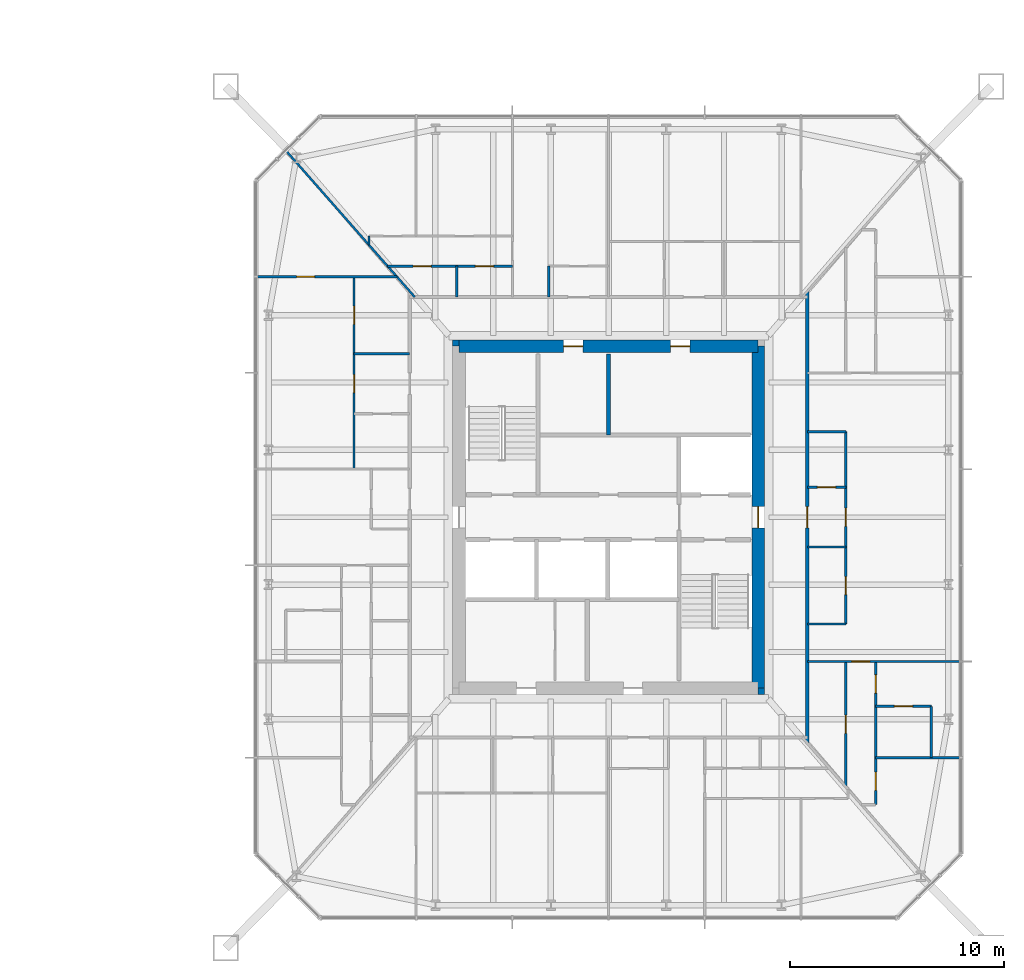
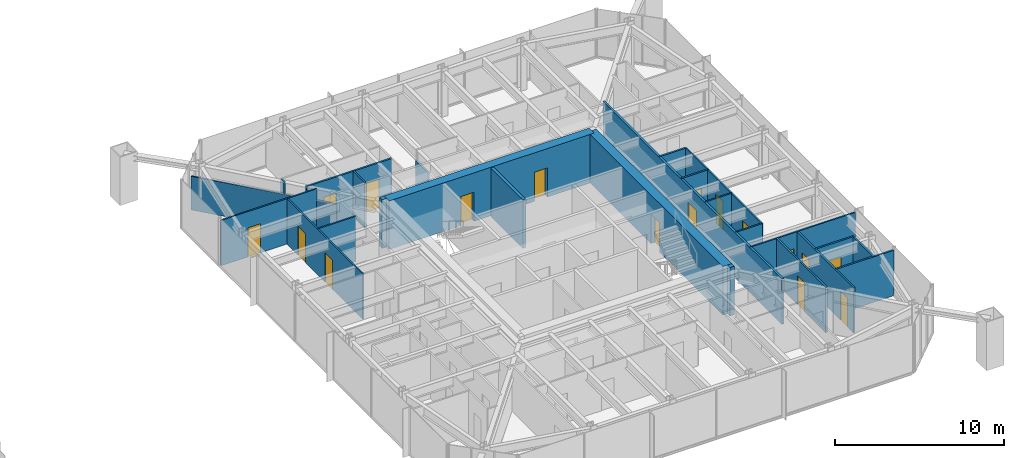
# One storey, part 20 of 26: 25 walls, 17 doors, 17 openings.
"""IFC4 building model written with IfcOpenShell, lengths in metres."""

from ifc_helpers import new_model, si_unit, direction, frame, frame_2d, origin, place, context, subcontext, project, spatial, rectangle, extrude, material, layer, layer_set, type_object, element, fill, save


model = new_model("IFC4")

# Units and contexts
model_context = context("Model", 3, precision=1e-05, world=origin(), true_north=direction((0.0, 1.0)))
body_context = subcontext(model_context, "Body", "Model", "MODEL_VIEW")
ifc_project = project(units=[si_unit("LENGTHUNIT", "METRE"), si_unit("AREAUNIT", "SQUARE_METRE"), si_unit("VOLUMEUNIT", "CUBIC_METRE"), si_unit("PLANEANGLEUNIT", "RADIAN"), si_unit("MASSUNIT", "GRAM", prefix="KILO")], contexts=[model_context])

# Site, building, storey
site_placement = place(None, origin())
site = spatial("IfcSite", under=ifc_project, at=site_placement, CompositionType="ELEMENT")
building_placement = place(site_placement, origin())
building = spatial("IfcBuilding", under=site, at=building_placement, Name="Iwan Alto Co-Living Towers", CompositionType="ELEMENT")
storey_placement = place(building_placement, frame((0.0, 0.0, 67.5)))
storey = spatial("IfcBuildingStorey", under=building, at=storey_placement, Name="L18", CompositionType="ELEMENT", Elevation=67.5)

# Wall, opening, door
ifc_material_1 = material(Name="Gypsum board")
ifc_layer_1 = layer(ifc_material_1, 0.02490234375, Name="Board", Category="Finish")
ifc_material_2 = material(Name="Steel ASTM A1003 ST33H cold-formed studs", Category="steel")
ifc_layer_2 = layer(ifc_material_2, 0.10009765625, Name="Studs", Category="Framing")
ifc_layer_3 = layer(ifc_material_1, 0.02490234375, Name="Board", Category="Finish")
ifc_layer_set_1 = layer_set([ifc_layer_1, ifc_layer_2, ifc_layer_3], Name="CORRIDOR WALL 150")
wall_type_1 = type_object("IfcWallType", Name="CORRIDOR WALL 150", PredefinedType="PARTITIONING", material=ifc_layer_set_1)
wall_1_placement = place(storey_placement, frame((72.300048828125, -10.568115234375, 0.0), z_axis=(0.0, 0.0, 1.0), x_axis=(0.0, 1.0, 0.0)))
wall_1 = element("IfcWall", 1, at=wall_1_placement, inside=storey, type_object=wall_type_1, Name="Partition L18", PredefinedType="PARTITIONING", context=body_context, shape_type="SweptSolid", body=[
    extrude(rectangle(XDim=21.13623046875, YDim=0.14990234375, at=frame_2d((10.568115234375, 0.0))), origin(), (0.0, 0.0, 1.0), 3.27001953125),
])
opening_1_placement = place(wall_1_placement, frame((10.068115234375, 0.0, 0.0)))
opening_1 = element("IfcOpeningElement", 2, at=opening_1_placement, cuts=wall_1, Name="Opening D3", PredefinedType="OPENING", context=body_context, shape_type="SweptSolid", body=[
    extrude(rectangle(XDim=1.0, YDim=2.10009765625, at=frame_2d((0.5, 1.050048828125))), frame((0.0, 0.0849609375, 0.0), z_axis=(0.0, -1.0, 0.0), x_axis=(1.0, 0.0, 0.0)), (0.0, 0.0, 1.0), 0.169921875),
])
ifc_material_3 = material(Name="Steel frame with timber leaf", Category="steel")
door_type_1 = type_object("IfcDoorType", Name="FLAT ENTRANCE DOOR FD30S 1000X2100", OperationType="SINGLE_SWING_LEFT", PredefinedType="DOOR", material=ifc_material_3)
door_1_placement = place(opening_1_placement, frame((1.0, 0.0, 0.0), z_axis=(0.0, 0.0, 1.0), x_axis=(-1.0, 0.0, 0.0)))
door_1 = element("IfcDoor", 3, at=door_1_placement, inside=storey, type_object=door_type_1, Name="Apartment foyer door L18", OperationType="SINGLE_SWING_RIGHT", OverallHeight=2.10009765625, OverallWidth=1.0, PredefinedType="DOOR", context=body_context, shape_type="SweptSolid", body=[
    extrude(rectangle(XDim=1.0, YDim=2.10009765625, at=frame_2d((0.5, 1.050048828125))), frame((0.0, 0.02490234375, 0.0), z_axis=(0.0, -1.0, 0.0), x_axis=(1.0, 0.0, 0.0)), (0.0, 0.0, 1.0), 0.050048828125),
])
fill(opening_1, door_1)

ifc_layer_4 = layer(ifc_material_1, 0.012451171875, Name="Board", Category="Finish")
ifc_layer_5 = layer(ifc_material_2, 0.074951171875, Name="Studs", Category="Framing")
ifc_layer_6 = layer(ifc_material_1, 0.012451171875, Name="Board", Category="Finish")
ifc_layer_set_2 = layer_set([ifc_layer_4, ifc_layer_5, ifc_layer_6], Name="PARTITION 100")
wall_type_2 = type_object("IfcWallType", Name="PARTITION 100", PredefinedType="PARTITIONING", material=ifc_layer_set_2)
wall_2_placement = place(storey_placement, frame((72.300048828125, -6.75, 0.0), z_axis=(0.0, 0.0, 1.0), x_axis=(1.0, 0.0, 0.0)))
wall_2 = element("IfcWall", 4, at=wall_2_placement, inside=storey, type_object=wall_type_2, Name="Partition L18", PredefinedType="PARTITIONING", context=body_context, shape_type="SweptSolid", body=[
    extrude(rectangle(XDim=7.139892578125, YDim=0.10009765625, at=frame_2d((3.56982421875, 0.0))), origin(), (0.0, 0.0, 1.0), 3.27001953125),
])
opening_2_placement = place(wall_2_placement, frame((2.074951171875, 0.0, 0.0)))
opening_2 = element("IfcOpeningElement", 5, at=opening_2_placement, cuts=wall_2, Name="Opening D2", PredefinedType="OPENING", context=body_context, shape_type="SweptSolid", body=[
    extrude(rectangle(XDim=0.85009765625, YDim=2.10009765625, at=frame_2d((0.425048828125, 1.050048828125))), frame((0.0, 0.06005859375, 0.0), z_axis=(0.0, -1.0, 0.0), x_axis=(1.0, 0.0, 0.0)), (0.0, 0.0, 1.0), 0.1201171875),
])
ifc_material_4 = material(Name="Timber leaf in steel frame", Category="steel")
door_type_2 = type_object("IfcDoorType", Name="ROOM DOOR 850X2100", OperationType="SINGLE_SWING_LEFT", PredefinedType="DOOR", material=ifc_material_4)
door_2_placement = place(opening_2_placement, origin())
door_2 = element("IfcDoor", 6, at=door_2_placement, inside=storey, type_object=door_type_2, Name="Apartment hall door L18", OperationType="SINGLE_SWING_LEFT", OverallHeight=2.10009765625, OverallWidth=0.85009765625, PredefinedType="DOOR", context=body_context, shape_type="SweptSolid", body=[
    extrude(rectangle(XDim=0.85009765625, YDim=2.10009765625, at=frame_2d((0.425048828125, 1.050048828125))), frame((0.0, 0.02490234375, 0.0), z_axis=(0.0, -1.0, 0.0), x_axis=(1.0, 0.0, 0.0)), (0.0, 0.0, 1.0), 0.050048828125),
])
fill(opening_2, door_2)

# Walls
for number, where, z_axis, x_axis, name in (
    (7, (72.300048828125, -5.0, 0.0), (0.0, 0.0, 1.0), (1.0, 0.0, 0.0), "Partition L18"),
    (8, (72.300048828125, -1.39990234375, 0.0), (0.0, 0.0, 1.0), (1.0, 0.0, 0.0), "Partition L18"),
):
    element("IfcWall", number, at=place(storey_placement, frame(where, z_axis=z_axis, x_axis=x_axis)), inside=storey, type_object=wall_type_2, Name=name, PredefinedType="PARTITIONING", context=body_context, shape_type="SweptSolid", body=[
        extrude(rectangle(XDim=1.800048828125, YDim=0.10009765625, at=frame_2d((0.89990234375, 0.0))), origin(), (0.0, 0.0, 1.0), 3.27001953125),
    ])
wall_3_placement = place(storey_placement, frame((51.10009765625, 7.64990234375, 0.0), z_axis=(0.0, 0.0, 1.0), x_axis=(1.0, 0.0, 0.0)))
element("IfcWall", 9, at=wall_3_placement, inside=storey, type_object=wall_type_2, Name="Partition L18", PredefinedType="PARTITIONING", context=body_context, shape_type="SweptSolid", body=[
    extrude(rectangle(XDim=2.599853515625, YDim=0.10009765625, at=frame_2d((1.2998046875, 0.0))), origin(), (0.0, 0.0, 1.0), 3.27001953125),
])

# Wall, opening, door
wall_4_placement = place(storey_placement, frame((46.56005859375, 11.25, 0.0), z_axis=(0.0, 0.0, 1.0), x_axis=(1.0, 0.0, 0.0)))
wall_4 = element("IfcWall", 10, at=wall_4_placement, inside=storey, type_object=wall_type_2, Name="Partition L18", PredefinedType="PARTITIONING", context=body_context, shape_type="SweptSolid", body=[
    extrude(rectangle(XDim=6.5400390625, YDim=0.10009765625, at=frame_2d((3.27001953125, 0.0))), origin(), (0.0, 0.0, 1.0), 3.27001953125),
])
opening_3_placement = place(wall_4_placement, frame((1.844970703125, 0.0, 0.0)))
opening_3 = element("IfcOpeningElement", 11, at=opening_3_placement, cuts=wall_4, Name="Opening D2", PredefinedType="OPENING", context=body_context, shape_type="SweptSolid", body=[
    extrude(rectangle(XDim=0.85009765625, YDim=2.10009765625, at=frame_2d((0.425048828125, 1.050048828125))), frame((0.0, 0.06005859375, 0.0), z_axis=(0.0, -1.0, 0.0), x_axis=(1.0, 0.0, 0.0)), (0.0, 0.0, 1.0), 0.1201171875),
])
door_3_placement = place(opening_3_placement, frame((0.85009765625, 0.0, 0.0), z_axis=(0.0, 0.0, 1.0), x_axis=(-1.0, 0.0, 0.0)))
door_3 = element("IfcDoor", 12, at=door_3_placement, inside=storey, type_object=door_type_2, Name="Bedroom door L18", OperationType="SINGLE_SWING_LEFT", OverallHeight=2.10009765625, OverallWidth=0.85009765625, PredefinedType="DOOR", context=body_context, shape_type="SweptSolid", body=[
    extrude(rectangle(XDim=0.85009765625, YDim=2.10009765625, at=frame_2d((0.425048828125, 1.050048828125))), frame((0.0, 0.02490234375, 0.0), z_axis=(0.0, -1.0, 0.0), x_axis=(1.0, 0.0, 0.0)), (0.0, 0.0, 1.0), 0.050048828125),
])
fill(opening_3, door_3)

# Wall, openings, doors
wall_5_placement = place(storey_placement, frame((74.10009765625, -5.0, 0.0), z_axis=(0.0, 0.0, 1.0), x_axis=(0.0, 1.0, 0.0)))
wall_5 = element("IfcWall", 13, at=wall_5_placement, inside=storey, type_object=wall_type_2, Name="Partition L18", PredefinedType="PARTITIONING", context=body_context, shape_type="SweptSolid", body=[
    extrude(rectangle(XDim=9.0, YDim=0.10009765625, at=frame_2d((4.5, 0.0))), origin(), (0.0, 0.0, 1.0), 3.27001953125),
])
opening_4_placement = place(wall_5_placement, frame((1.375, 0.0, 0.0)))
opening_4 = element("IfcOpeningElement", 14, at=opening_4_placement, cuts=wall_5, Name="Opening D2", PredefinedType="OPENING", context=body_context, shape_type="SweptSolid", body=[
    extrude(rectangle(XDim=0.85009765625, YDim=2.10009765625, at=frame_2d((0.425048828125, 1.050048828125))), frame((0.0, 0.06005859375, 0.0), z_axis=(0.0, -1.0, 0.0), x_axis=(1.0, 0.0, 0.0)), (0.0, 0.0, 1.0), 0.1201171875),
])
opening_5_placement = place(wall_5_placement, frame((4.574951171875, 0.0, 0.0)))
opening_5 = element("IfcOpeningElement", 15, at=opening_5_placement, cuts=wall_5, Name="Opening D2", PredefinedType="OPENING", context=body_context, shape_type="SweptSolid", body=[
    extrude(rectangle(XDim=0.85009765625, YDim=2.10009765625, at=frame_2d((0.425048828125, 1.050048828125))), frame((0.0, 0.06005859375, 0.0), z_axis=(0.0, -1.0, 0.0), x_axis=(1.0, 0.0, 0.0)), (0.0, 0.0, 1.0), 0.1201171875),
])
door_4_placement = place(opening_4_placement, frame((0.85009765625, 0.0, 0.0), z_axis=(0.0, 0.0, 1.0), x_axis=(-1.0, 0.0, 0.0)))
door_4 = element("IfcDoor", 16, at=door_4_placement, inside=storey, type_object=door_type_2, Name="Kitchen door L18", OperationType="SINGLE_SWING_RIGHT", OverallHeight=2.10009765625, OverallWidth=0.85009765625, PredefinedType="DOOR", context=body_context, shape_type="SweptSolid", body=[
    extrude(rectangle(XDim=0.85009765625, YDim=2.10009765625, at=frame_2d((0.425048828125, 1.050048828125))), frame((0.0, 0.02490234375, 0.0), z_axis=(0.0, -1.0, 0.0), x_axis=(1.0, 0.0, 0.0)), (0.0, 0.0, 1.0), 0.050048828125),
])
fill(opening_4, door_4)
door_5_placement = place(opening_5_placement, frame((0.85009765625, 0.0, 0.0), z_axis=(0.0, 0.0, 1.0), x_axis=(-1.0, 0.0, 0.0)))
door_5 = element("IfcDoor", 17, at=door_5_placement, inside=storey, type_object=door_type_2, Name="Apartment foyer door L18", OperationType="SINGLE_SWING_RIGHT", OverallHeight=2.10009765625, OverallWidth=0.85009765625, PredefinedType="DOOR", context=body_context, shape_type="SweptSolid", body=[
    extrude(rectangle(XDim=0.85009765625, YDim=2.10009765625, at=frame_2d((0.425048828125, 1.050048828125))), frame((0.0, 0.02490234375, 0.0), z_axis=(0.0, -1.0, 0.0), x_axis=(1.0, 0.0, 0.0)), (0.0, 0.0, 1.0), 0.050048828125),
])
fill(opening_5, door_5)

# Walls
wall_6_placement = place(storey_placement, frame((60.199951171875, 10.300048828125, 0.0), z_axis=(0.0, 0.0, 1.0), x_axis=(0.0, 1.0, 0.0)))
element("IfcWall", 18, at=wall_6_placement, inside=storey, type_object=wall_type_2, Name="Partition L18", PredefinedType="PARTITIONING", context=body_context, shape_type="SweptSolid", body=[
    extrude(rectangle(XDim=1.449951171875, YDim=0.10009765625, at=frame_2d((0.72509765625, 0.0))), origin(), (0.0, 0.0, 1.0), 2.508056640625),
])
wall_7_placement = place(storey_placement, frame((51.800048828125, 12.72705078125, 0.0), z_axis=(0.0, 0.0, 1.0), x_axis=(0.0, 1.0, 0.0)))
element("IfcWall", 19, at=wall_7_placement, inside=storey, type_object=wall_type_2, Name="Partition L18", PredefinedType="PARTITIONING", context=body_context, shape_type="SweptSolid", body=[
    extrude(rectangle(XDim=0.4228515625, YDim=0.10009765625, at=frame_2d((0.21142578125, 0.0))), origin(), (0.0, 0.0, 1.0), 3.27001953125),
])

# Wall, openings, doors
wall_8_placement = place(storey_placement, frame((51.10009765625, 2.25, 0.0), z_axis=(0.0, 0.0, 1.0), x_axis=(0.0, 1.0, 0.0)))
wall_8 = element("IfcWall", 20, at=wall_8_placement, inside=storey, type_object=wall_type_2, Name="Partition L18", PredefinedType="PARTITIONING", context=body_context, shape_type="SweptSolid", body=[
    extrude(rectangle(XDim=9.0, YDim=0.10009765625, at=frame_2d((4.5, 0.0))), origin(), (0.0, 0.0, 1.0), 3.27001953125),
])
opening_6_placement = place(wall_8_placement, frame((6.77490234375, 0.0, 0.0)))
opening_6 = element("IfcOpeningElement", 21, at=opening_6_placement, cuts=wall_8, Name="Opening D2", PredefinedType="OPENING", context=body_context, shape_type="SweptSolid", body=[
    extrude(rectangle(XDim=0.85009765625, YDim=2.10009765625, at=frame_2d((0.425048828125, 1.050048828125))), frame((0.0, 0.06005859375, 0.0), z_axis=(0.0, -1.0, 0.0), x_axis=(1.0, 0.0, 0.0)), (0.0, 0.0, 1.0), 0.1201171875),
])
opening_7_placement = place(wall_8_placement, frame((3.574951171875, 0.0, 0.0)))
opening_7 = element("IfcOpeningElement", 22, at=opening_7_placement, cuts=wall_8, Name="Opening D2", PredefinedType="OPENING", context=body_context, shape_type="SweptSolid", body=[
    extrude(rectangle(XDim=0.85009765625, YDim=2.10009765625, at=frame_2d((0.425048828125, 1.050048828125))), frame((0.0, 0.06005859375, 0.0), z_axis=(0.0, -1.0, 0.0), x_axis=(1.0, 0.0, 0.0)), (0.0, 0.0, 1.0), 0.1201171875),
])
door_6_placement = place(opening_6_placement, origin())
door_6 = element("IfcDoor", 23, at=door_6_placement, inside=storey, type_object=door_type_2, Name="Kitchen door L18", OperationType="SINGLE_SWING_RIGHT", OverallHeight=2.10009765625, OverallWidth=0.85009765625, PredefinedType="DOOR", context=body_context, shape_type="SweptSolid", body=[
    extrude(rectangle(XDim=0.85009765625, YDim=2.10009765625, at=frame_2d((0.425048828125, 1.050048828125))), frame((0.0, 0.02490234375, 0.0), z_axis=(0.0, -1.0, 0.0), x_axis=(1.0, 0.0, 0.0)), (0.0, 0.0, 1.0), 0.050048828125),
])
fill(opening_6, door_6)
door_7_placement = place(opening_7_placement, origin())
door_7 = element("IfcDoor", 24, at=door_7_placement, inside=storey, type_object=door_type_2, Name="Apartment foyer door L18", OperationType="SINGLE_SWING_LEFT", OverallHeight=2.10009765625, OverallWidth=0.85009765625, PredefinedType="DOOR", context=body_context, shape_type="SweptSolid", body=[
    extrude(rectangle(XDim=0.85009765625, YDim=2.10009765625, at=frame_2d((0.425048828125, 1.050048828125))), frame((0.0, 0.02490234375, 0.0), z_axis=(0.0, -1.0, 0.0), x_axis=(1.0, 0.0, 0.0)), (0.0, 0.0, 1.0), 0.050048828125),
])
fill(opening_7, door_7)

# Walls
wall_9_placement = place(storey_placement, frame((53.93603515625, 10.300048828125, 0.0), z_axis=(0.0, 0.0, 1.0), x_axis=(-0.660638210404, 0.750704439146, 0.0)))
element("IfcWall", 25, at=wall_9_placement, inside=storey, type_object=wall_type_2, Name="Partition L18", PredefinedType="PARTITIONING", context=body_context, shape_type="SweptSolid", body=[
    extrude(rectangle(XDim=9.06982421875, YDim=0.10009765625, at=frame_2d((4.534912109375, 0.0))), origin(), (0.0, 0.0, 1.0), 2.42919921875),
])
ifc_material_5 = material(Name="Concrete f'c 70 MPa", Category="concrete")
ifc_layer_7 = layer(ifc_material_5, 0.199951171875)
ifc_layer_set_3 = layer_set([ifc_layer_7], Name="SHAFT WALL 200")
wall_type_3 = type_object("IfcWallType", Name="SHAFT WALL 200", PredefinedType="SOLIDWALL", material=ifc_layer_set_3)
wall_10_placement = place(storey_placement, frame((63.0, 3.85009765625, 0.0), z_axis=(0.0, 0.0, 1.0), x_axis=(0.0, 1.0, 0.0)))
element("IfcWall", 26, at=wall_10_placement, inside=storey, type_object=wall_type_3, Name="Shaft wall L18", PredefinedType="SOLIDWALL", context=body_context, shape_type="SweptSolid", body=[
    extrude(rectangle(XDim=3.789794921875, YDim=0.199951171875, at=frame_2d((1.89501953125, 0.0))), origin(), (0.0, 0.0, 1.0), 3.5),
])
ifc_material_6 = material(Name="Concrete f'c 70 MPa", Category="concrete")
ifc_layer_8 = layer(ifc_material_6, 0.300048828125)
ifc_layer_set_4 = layer_set([ifc_layer_8], Name="T2 CORE CORNER FILL 300")
wall_type_4 = type_object("IfcWallType", Name="T2 CORE CORNER FILL 300", PredefinedType="SOLIDWALL", material=ifc_layer_set_4)
for number, where, z_axis, x_axis, name in (
    (27, (70.0, -8.14990234375, 0.0), (0.0, 0.0, 1.0), (1.0, 0.0, 0.0), "T2 core corner SE L18"),
    (28, (55.699951171875, 8.14990234375, 0.0), (0.0, 0.0, 1.0), (1.0, 0.0, 0.0), "T2 core corner NW L18"),
):
    element("IfcWall", number, at=place(storey_placement, frame(where, z_axis=z_axis, x_axis=x_axis)), inside=storey, type_object=wall_type_4, Name=name, PredefinedType="SOLIDWALL", context=body_context, shape_type="SweptSolid", body=[
        extrude(rectangle(XDim=0.300048828125, YDim=0.300048828125, at=frame_2d((0.14990234375, 0.0))), origin(), (0.0, 0.0, 1.0), 3.5),
    ])

# Wall, openings, doors
ifc_material_7 = material(Name="Concrete f'c 70 MPa", Category="concrete")
ifc_layer_9 = layer(ifc_material_7, 0.60009765625)
ifc_layer_set_5 = layer_set([ifc_layer_9], Name="T2 CORE WALL 600")
wall_type_5 = type_object("IfcWallType", Name="T2 CORE WALL 600", PredefinedType="SHEAR", material=ifc_layer_set_5)
wall_11_placement = place(storey_placement, frame((70.0, 8.0, 0.0), z_axis=(0.0, 0.0, 1.0), x_axis=(-1.0, 0.0, 0.0)))
wall_11 = element("IfcWall", 29, at=wall_11_placement, inside=storey, type_object=wall_type_5, Name="T2 core wall N L18", PredefinedType="SHEAR", context=body_context, shape_type="SweptSolid", body=[
    extrude(rectangle(XDim=14.0, YDim=0.60009765625, at=frame_2d((7.0, 0.0))), origin(), (0.0, 0.0, 1.0), 3.5),
])
opening_8_placement = place(wall_11_placement, frame((8.199951171875, 0.0, 0.0)))
opening_8 = element("IfcOpeningElement", 30, at=opening_8_placement, cuts=wall_11, Name="Opening D8", PredefinedType="OPENING", context=body_context, shape_type="SweptSolid", body=[
    extrude(rectangle(XDim=0.89990234375, YDim=2.10009765625, at=frame_2d((0.449951171875, 1.050048828125))), frame((0.0, 0.31005859375, 0.0), z_axis=(0.0, -1.0, 0.0), x_axis=(1.0, 0.0, 0.0)), (0.0, 0.0, 1.0), 0.6201171875),
])
opening_9_placement = place(wall_11_placement, frame((3.199951171875, 0.0, 0.0)))
opening_9 = element("IfcOpeningElement", 31, at=opening_9_placement, cuts=wall_11, Name="Opening D8", PredefinedType="OPENING", context=body_context, shape_type="SweptSolid", body=[
    extrude(rectangle(XDim=0.89990234375, YDim=2.10009765625, at=frame_2d((0.449951171875, 1.050048828125))), frame((0.0, 0.31005859375, 0.0), z_axis=(0.0, -1.0, 0.0), x_axis=(1.0, 0.0, 0.0)), (0.0, 0.0, 1.0), 0.6201171875),
])
ifc_material_8 = material(Name="Steel frame with timber leaf", Category="steel")
door_type_3 = type_object("IfcDoorType", Name="RISER DOOR FD120 900X2100", OperationType="SINGLE_SWING_LEFT", PredefinedType="DOOR", material=ifc_material_8)
door_8_placement = place(opening_8_placement, origin())
door_8 = element("IfcDoor", 32, at=door_8_placement, inside=storey, type_object=door_type_3, Name="Electrical riser core door L18", OperationType="SINGLE_SWING_RIGHT", OverallHeight=2.10009765625, OverallWidth=0.89990234375, PredefinedType="DOOR", context=body_context, shape_type="SweptSolid", body=[
    extrude(rectangle(XDim=0.89990234375, YDim=2.10009765625, at=frame_2d((0.449951171875, 1.050048828125))), frame((0.0, 0.02490234375, 0.0), z_axis=(0.0, -1.0, 0.0), x_axis=(1.0, 0.0, 0.0)), (0.0, 0.0, 1.0), 0.050048828125),
])
fill(opening_8, door_8)
door_9_placement = place(opening_9_placement, origin())
door_9 = element("IfcDoor", 33, at=door_9_placement, inside=storey, type_object=door_type_3, Name="Water and drainage riser core door L18", OperationType="SINGLE_SWING_RIGHT", OverallHeight=2.10009765625, OverallWidth=0.89990234375, PredefinedType="DOOR", context=body_context, shape_type="SweptSolid", body=[
    extrude(rectangle(XDim=0.89990234375, YDim=2.10009765625, at=frame_2d((0.449951171875, 1.050048828125))), frame((0.0, 0.02490234375, 0.0), z_axis=(0.0, -1.0, 0.0), x_axis=(1.0, 0.0, 0.0)), (0.0, 0.0, 1.0), 0.050048828125),
])
fill(opening_9, door_9)

# Wall, opening, door
wall_12_placement = place(storey_placement, frame((70.0, -8.0, 0.0), z_axis=(0.0, 0.0, 1.0), x_axis=(0.0, 1.0, 0.0)))
wall_12 = element("IfcWall", 34, at=wall_12_placement, inside=storey, type_object=wall_type_5, Name="T2 core wall E L18", PredefinedType="SHEAR", context=body_context, shape_type="SweptSolid", body=[
    extrude(rectangle(XDim=16.0, YDim=0.60009765625, at=frame_2d((8.0, 0.0))), origin(), (0.0, 0.0, 1.0), 3.5),
])
opening_10_placement = place(wall_12_placement, frame((7.5, 0.0, 0.0)))
opening_10 = element("IfcOpeningElement", 35, at=opening_10_placement, cuts=wall_12, Name="Opening D7", PredefinedType="OPENING", context=body_context, shape_type="SweptSolid", body=[
    extrude(rectangle(XDim=1.0, YDim=2.10009765625, at=frame_2d((0.5, 1.050048828125))), frame((0.0, 0.31005859375, 0.0), z_axis=(0.0, -1.0, 0.0), x_axis=(1.0, 0.0, 0.0)), (0.0, 0.0, 1.0), 0.6201171875),
])
ifc_material_9 = material(Name="Steel frame with timber leaf", Category="steel")
door_type_4 = type_object("IfcDoorType", Name="CORE DOOR FD120S 1000X2100", OperationType="SINGLE_SWING_LEFT", PredefinedType="DOOR", material=ifc_material_9)
door_10_placement = place(opening_10_placement, origin())
door_10 = element("IfcDoor", 36, at=door_10_placement, inside=storey, type_object=door_type_4, Name="Firefighting lobby core door L18", OperationType="SINGLE_SWING_LEFT", OverallHeight=2.10009765625, OverallWidth=1.0, PredefinedType="DOOR", context=body_context, shape_type="SweptSolid", body=[
    extrude(rectangle(XDim=1.0, YDim=2.10009765625, at=frame_2d((0.5, 1.050048828125))), frame((0.0, 0.02490234375, 0.0), z_axis=(0.0, -1.0, 0.0), x_axis=(1.0, 0.0, 0.0)), (0.0, 0.0, 1.0), 0.050048828125),
])
fill(opening_10, door_10)

# Wall
ifc_material_10 = material(Name="Cement board")
ifc_layer_10 = layer(ifc_material_10, 0.012451171875, Name="Board", Category="Finish")
ifc_layer_11 = layer(ifc_material_2, 0.094970703125, Name="Studs", Category="Framing")
ifc_layer_12 = layer(ifc_material_10, 0.012451171875, Name="Board", Category="Finish")
ifc_layer_set_6 = layer_set([ifc_layer_10, ifc_layer_11, ifc_layer_12], Name="WET AREA PARTITION 120")
wall_type_6 = type_object("IfcWallType", Name="WET AREA PARTITION 120", PredefinedType="PARTITIONING", material=ifc_layer_set_6)
wall_13_placement = place(storey_placement, frame((75.5, -11.25, 0.0), z_axis=(0.0, 0.0, 1.0), x_axis=(1.0, 0.0, 0.0)))
element("IfcWall", 37, at=wall_13_placement, inside=storey, type_object=wall_type_6, Name="Partition L18", PredefinedType="PARTITIONING", context=body_context, shape_type="SweptSolid", body=[
    extrude(rectangle(XDim=3.93994140625, YDim=0.1201171875, at=frame_2d((1.969970703125, 0.0))), origin(), (0.0, 0.0, 1.0), 3.27001953125),
])

# Wall, opening, door
wall_14_placement = place(storey_placement, frame((75.5, -8.85009765625, 0.0), z_axis=(0.0, 0.0, 1.0), x_axis=(1.0, 0.0, 0.0)))
wall_14 = element("IfcWall", 38, at=wall_14_placement, inside=storey, type_object=wall_type_6, Name="Partition L18", PredefinedType="PARTITIONING", context=body_context, shape_type="SweptSolid", body=[
    extrude(rectangle(XDim=2.60009765625, YDim=0.1201171875, at=frame_2d((1.300048828125, 0.0))), origin(), (0.0, 0.0, 1.0), 3.27001953125),
])
opening_11_placement = place(wall_14_placement, frame((0.875, 0.0, 0.0)))
opening_11 = element("IfcOpeningElement", 39, at=opening_11_placement, cuts=wall_14, Name="Opening D2", PredefinedType="OPENING", context=body_context, shape_type="SweptSolid", body=[
    extrude(rectangle(XDim=0.85009765625, YDim=2.10009765625, at=frame_2d((0.425048828125, 1.050048828125))), frame((0.0, 0.070068359375, 0.0), z_axis=(0.0, -1.0, 0.0), x_axis=(1.0, 0.0, 0.0)), (0.0, 0.0, 1.0), 0.14013671875),
])
door_11_placement = place(opening_11_placement, origin())
door_11 = element("IfcDoor", 40, at=door_11_placement, inside=storey, type_object=door_type_2, Name="En-suite shower room door L18", OperationType="SINGLE_SWING_LEFT", OverallHeight=2.10009765625, OverallWidth=0.85009765625, PredefinedType="DOOR", context=body_context, shape_type="SweptSolid", body=[
    extrude(rectangle(XDim=0.85009765625, YDim=2.10009765625, at=frame_2d((0.425048828125, 1.050048828125))), frame((0.0, 0.02490234375, 0.0), z_axis=(0.0, -1.0, 0.0), x_axis=(1.0, 0.0, 0.0)), (0.0, 0.0, 1.0), 0.050048828125),
])
fill(opening_11, door_11)

wall_15_placement = place(storey_placement, frame((72.300048828125, 1.39990234375, 0.0), z_axis=(0.0, 0.0, 1.0), x_axis=(1.0, 0.0, 0.0)))
wall_15 = element("IfcWall", 41, at=wall_15_placement, inside=storey, type_object=wall_type_6, Name="Partition L18", PredefinedType="PARTITIONING", context=body_context, shape_type="SweptSolid", body=[
    extrude(rectangle(XDim=1.800048828125, YDim=0.1201171875, at=frame_2d((0.89990234375, 0.0))), origin(), (0.0, 0.0, 1.0), 3.27001953125),
])
opening_12_placement = place(wall_15_placement, frame((0.47509765625, 0.0, 0.0)))
opening_12 = element("IfcOpeningElement", 42, at=opening_12_placement, cuts=wall_15, Name="Opening D2", PredefinedType="OPENING", context=body_context, shape_type="SweptSolid", body=[
    extrude(rectangle(XDim=0.85009765625, YDim=2.10009765625, at=frame_2d((0.425048828125, 1.050048828125))), frame((0.0, 0.070068359375, 0.0), z_axis=(0.0, -1.0, 0.0), x_axis=(1.0, 0.0, 0.0)), (0.0, 0.0, 1.0), 0.14013671875),
])
door_12_placement = place(opening_12_placement, origin())
door_12 = element("IfcDoor", 43, at=door_12_placement, inside=storey, type_object=door_type_2, Name="Bathroom door L18", OperationType="SINGLE_SWING_LEFT", OverallHeight=2.10009765625, OverallWidth=0.85009765625, PredefinedType="DOOR", context=body_context, shape_type="SweptSolid", body=[
    extrude(rectangle(XDim=0.85009765625, YDim=2.10009765625, at=frame_2d((0.425048828125, 1.050048828125))), frame((0.0, 0.02490234375, 0.0), z_axis=(0.0, -1.0, 0.0), x_axis=(1.0, 0.0, 0.0)), (0.0, 0.0, 1.0), 0.050048828125),
])
fill(opening_12, door_12)

# Wall
wall_16_placement = place(storey_placement, frame((72.300048828125, 4.0, 0.0), z_axis=(0.0, 0.0, 1.0), x_axis=(1.0, 0.0, 0.0)))
element("IfcWall", 44, at=wall_16_placement, inside=storey, type_object=wall_type_6, Name="Partition L18", PredefinedType="PARTITIONING", context=body_context, shape_type="SweptSolid", body=[
    extrude(rectangle(XDim=1.800048828125, YDim=0.1201171875, at=frame_2d((0.89990234375, 0.0))), origin(), (0.0, 0.0, 1.0), 3.27001953125),
])

# Wall, openings, doors
wall_17_placement = place(storey_placement, frame((52.659912109375, 11.75, 0.0), z_axis=(0.0, 0.0, 1.0), x_axis=(1.0, 0.0, 0.0)))
wall_17 = element("IfcWall", 45, at=wall_17_placement, inside=storey, type_object=wall_type_6, Name="Partition L18", PredefinedType="PARTITIONING", context=body_context, shape_type="SweptSolid", body=[
    extrude(rectangle(XDim=5.840087890625, YDim=0.1201171875, at=frame_2d((2.919921875, 0.0))), origin(), (0.0, 0.0, 1.0), 3.27001953125),
])
opening_13_placement = place(wall_17_placement, frame((4.114990234375, 0.0, 0.0)))
opening_13 = element("IfcOpeningElement", 46, at=opening_13_placement, cuts=wall_17, Name="Opening D2", PredefinedType="OPENING", context=body_context, shape_type="SweptSolid", body=[
    extrude(rectangle(XDim=0.85009765625, YDim=2.10009765625, at=frame_2d((0.425048828125, 1.050048828125))), frame((0.0, 0.070068359375, 0.0), z_axis=(0.0, -1.0, 0.0), x_axis=(1.0, 0.0, 0.0)), (0.0, 0.0, 1.0), 0.14013671875),
])
opening_14_placement = place(wall_17_placement, frame((1.195068359375, 0.0, 0.0)))
opening_14 = element("IfcOpeningElement", 47, at=opening_14_placement, cuts=wall_17, Name="Opening D2", PredefinedType="OPENING", context=body_context, shape_type="SweptSolid", body=[
    extrude(rectangle(XDim=0.85009765625, YDim=2.10009765625, at=frame_2d((0.425048828125, 1.050048828125))), frame((0.0, 0.070068359375, 0.0), z_axis=(0.0, -1.0, 0.0), x_axis=(1.0, 0.0, 0.0)), (0.0, 0.0, 1.0), 0.14013671875),
])
door_13_placement = place(opening_13_placement, frame((0.85009765625, 0.0, 0.0), z_axis=(0.0, 0.0, 1.0), x_axis=(-1.0, 0.0, 0.0)))
door_13 = element("IfcDoor", 48, at=door_13_placement, inside=storey, type_object=door_type_2, Name="Shower room door L18", OperationType="SINGLE_SWING_RIGHT", OverallHeight=2.10009765625, OverallWidth=0.85009765625, PredefinedType="DOOR", context=body_context, shape_type="SweptSolid", body=[
    extrude(rectangle(XDim=0.85009765625, YDim=2.10009765625, at=frame_2d((0.425048828125, 1.050048828125))), frame((0.0, 0.02490234375, 0.0), z_axis=(0.0, -1.0, 0.0), x_axis=(1.0, 0.0, 0.0)), (0.0, 0.0, 1.0), 0.050048828125),
])
fill(opening_13, door_13)
door_14_placement = place(opening_14_placement, frame((0.85009765625, 0.0, 0.0), z_axis=(0.0, 0.0, 1.0), x_axis=(-1.0, 0.0, 0.0)))
door_14 = element("IfcDoor", 49, at=door_14_placement, inside=storey, type_object=door_type_2, Name="Utility room door L18", OperationType="SINGLE_SWING_RIGHT", OverallHeight=2.10009765625, OverallWidth=0.85009765625, PredefinedType="DOOR", context=body_context, shape_type="SweptSolid", body=[
    extrude(rectangle(XDim=0.85009765625, YDim=2.10009765625, at=frame_2d((0.425048828125, 1.050048828125))), frame((0.0, 0.02490234375, 0.0), z_axis=(0.0, -1.0, 0.0), x_axis=(1.0, 0.0, 0.0)), (0.0, 0.0, 1.0), 0.050048828125),
])
fill(opening_14, door_14)

# Wall
wall_18_placement = place(storey_placement, frame((78.10009765625, -11.25, 0.0), z_axis=(0.0, 0.0, 1.0), x_axis=(0.0, 1.0, 0.0)))
element("IfcWall", 50, at=wall_18_placement, inside=storey, type_object=wall_type_6, Name="Partition L18", PredefinedType="PARTITIONING", context=body_context, shape_type="SweptSolid", body=[
    extrude(rectangle(XDim=2.39990234375, YDim=0.1201171875, at=frame_2d((1.199951171875, 0.0))), origin(), (0.0, 0.0, 1.0), 3.27001953125),
])

# Wall, openings, doors
wall_19_placement = place(storey_placement, frame((75.5, -13.449951171875, 0.0), z_axis=(0.0, 0.0, 1.0), x_axis=(0.0, 1.0, 0.0)))
wall_19 = element("IfcWall", 51, at=wall_19_placement, inside=storey, type_object=wall_type_6, Name="Partition L18", PredefinedType="PARTITIONING", context=body_context, shape_type="SweptSolid", body=[
    extrude(rectangle(XDim=6.699951171875, YDim=0.1201171875, at=frame_2d((3.35009765625, 0.0))), origin(), (0.0, 0.0, 1.0), 3.27001953125),
])
opening_15_placement = place(wall_19_placement, frame((5.22509765625, 0.0, 0.0)))
opening_15 = element("IfcOpeningElement", 52, at=opening_15_placement, cuts=wall_19, Name="Opening D2", PredefinedType="OPENING", context=body_context, shape_type="SweptSolid", body=[
    extrude(rectangle(XDim=0.85009765625, YDim=2.10009765625, at=frame_2d((0.425048828125, 1.050048828125))), frame((0.0, 0.070068359375, 0.0), z_axis=(0.0, -1.0, 0.0), x_axis=(1.0, 0.0, 0.0)), (0.0, 0.0, 1.0), 0.14013671875),
])
opening_16_placement = place(wall_19_placement, frame((0.675048828125, 0.0, 0.0)))
opening_16 = element("IfcOpeningElement", 53, at=opening_16_placement, cuts=wall_19, Name="Opening D2", PredefinedType="OPENING", context=body_context, shape_type="SweptSolid", body=[
    extrude(rectangle(XDim=0.85009765625, YDim=2.10009765625, at=frame_2d((0.425048828125, 1.050048828125))), frame((0.0, 0.070068359375, 0.0), z_axis=(0.0, -1.0, 0.0), x_axis=(1.0, 0.0, 0.0)), (0.0, 0.0, 1.0), 0.14013671875),
])
door_15_placement = place(opening_15_placement, frame((0.85009765625, 0.0, 0.0), z_axis=(0.0, 0.0, 1.0), x_axis=(-1.0, 0.0, 0.0)))
door_15 = element("IfcDoor", 54, at=door_15_placement, inside=storey, type_object=door_type_2, Name="Bedroom door L18", OperationType="SINGLE_SWING_RIGHT", OverallHeight=2.10009765625, OverallWidth=0.85009765625, PredefinedType="DOOR", context=body_context, shape_type="SweptSolid", body=[
    extrude(rectangle(XDim=0.85009765625, YDim=2.10009765625, at=frame_2d((0.425048828125, 1.050048828125))), frame((0.0, 0.02490234375, 0.0), z_axis=(0.0, -1.0, 0.0), x_axis=(1.0, 0.0, 0.0)), (0.0, 0.0, 1.0), 0.050048828125),
])
fill(opening_15, door_15)
door_16_placement = place(opening_16_placement, frame((0.85009765625, 0.0, 0.0), z_axis=(0.0, 0.0, 1.0), x_axis=(-1.0, 0.0, 0.0)))
door_16 = element("IfcDoor", 55, at=door_16_placement, inside=storey, type_object=door_type_2, Name="Bedroom door L18", OperationType="SINGLE_SWING_LEFT", OverallHeight=2.10009765625, OverallWidth=0.85009765625, PredefinedType="DOOR", context=body_context, shape_type="SweptSolid", body=[
    extrude(rectangle(XDim=0.85009765625, YDim=2.10009765625, at=frame_2d((0.425048828125, 1.050048828125))), frame((0.0, 0.02490234375, 0.0), z_axis=(0.0, -1.0, 0.0), x_axis=(1.0, 0.0, 0.0)), (0.0, 0.0, 1.0), 0.050048828125),
])
fill(opening_16, door_16)

# Wall, opening, door
wall_20_placement = place(storey_placement, frame((74.10009765625, -12.614013671875, 0.0), z_axis=(0.0, 0.0, 1.0), x_axis=(0.0, 1.0, 0.0)))
wall_20 = element("IfcWall", 56, at=wall_20_placement, inside=storey, type_object=wall_type_6, Name="Partition L18", PredefinedType="PARTITIONING", context=body_context, shape_type="SweptSolid", body=[
    extrude(rectangle(XDim=5.864013671875, YDim=0.1201171875, at=frame_2d((2.93212890625, 0.0))), origin(), (0.0, 0.0, 1.0), 3.27001953125),
])
opening_17_placement = place(wall_20_placement, frame((2.507080078125, 0.0, 0.0)))
opening_17 = element("IfcOpeningElement", 57, at=opening_17_placement, cuts=wall_20, Name="Opening D2", PredefinedType="OPENING", context=body_context, shape_type="SweptSolid", body=[
    extrude(rectangle(XDim=0.85009765625, YDim=2.10009765625, at=frame_2d((0.425048828125, 1.050048828125))), frame((0.0, 0.070068359375, 0.0), z_axis=(0.0, -1.0, 0.0), x_axis=(1.0, 0.0, 0.0)), (0.0, 0.0, 1.0), 0.14013671875),
])
door_17_placement = place(opening_17_placement, origin())
door_17 = element("IfcDoor", 58, at=door_17_placement, inside=storey, type_object=door_type_2, Name="Utility room door L18", OperationType="SINGLE_SWING_LEFT", OverallHeight=2.10009765625, OverallWidth=0.85009765625, PredefinedType="DOOR", context=body_context, shape_type="SweptSolid", body=[
    extrude(rectangle(XDim=0.85009765625, YDim=2.10009765625, at=frame_2d((0.425048828125, 1.050048828125))), frame((0.0, 0.02490234375, 0.0), z_axis=(0.0, -1.0, 0.0), x_axis=(1.0, 0.0, 0.0)), (0.0, 0.0, 1.0), 0.050048828125),
])
fill(opening_17, door_17)

# Wall
wall_21_placement = place(storey_placement, frame((55.89990234375, 10.300048828125, 0.0), z_axis=(0.0, 0.0, 1.0), x_axis=(0.0, 1.0, 0.0)))
element("IfcWall", 59, at=wall_21_placement, inside=storey, type_object=wall_type_6, Name="Partition L18", PredefinedType="PARTITIONING", context=body_context, shape_type="SweptSolid", body=[
    extrude(rectangle(XDim=1.449951171875, YDim=0.1201171875, at=frame_2d((0.72509765625, 0.0))), origin(), (0.0, 0.0, 1.0), 3.27001953125),
])

save(model, "model.ifc")
